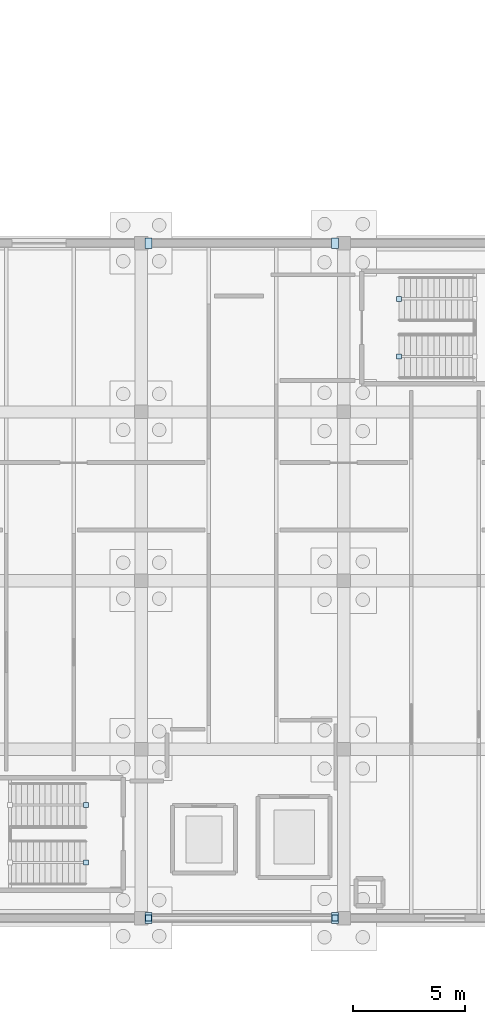
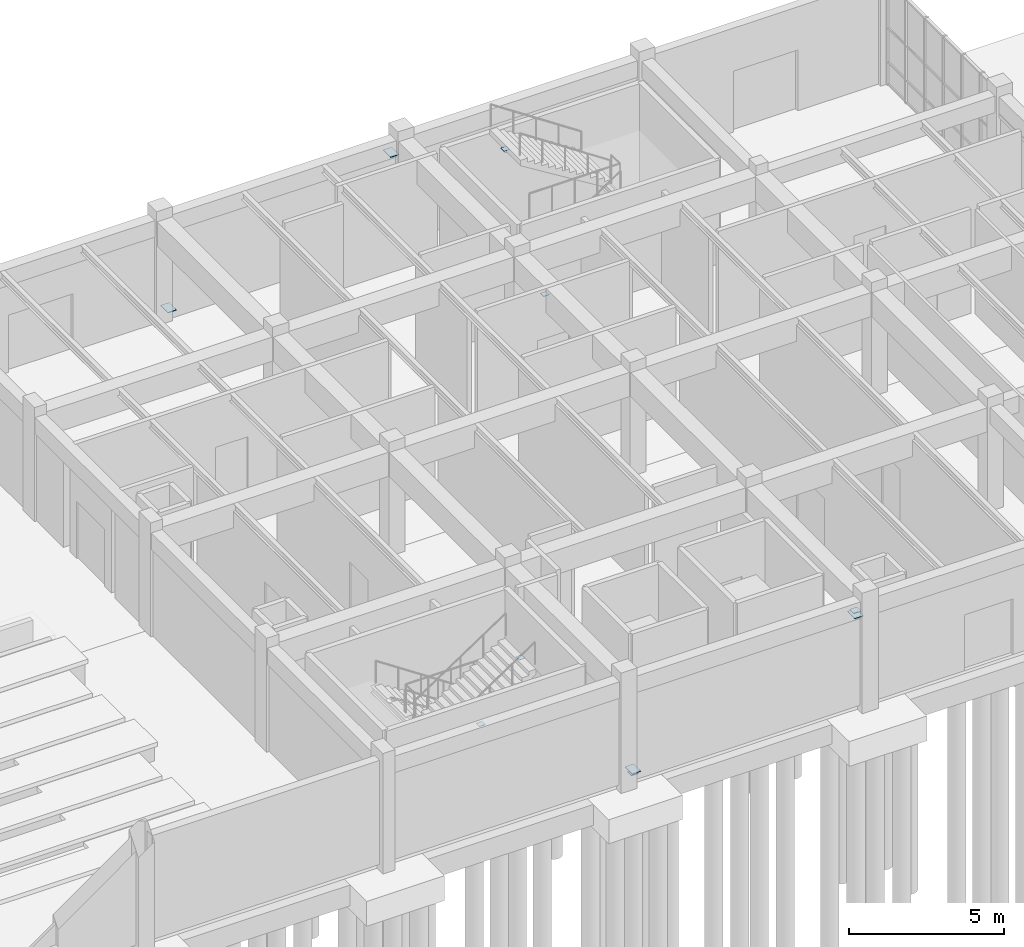
# One storey, part 61 of 93: 10 plates.
"""IFC4 building model written with IfcOpenShell, lengths in metres."""

from ifc_helpers import new_model, si_unit, direction, frame, origin, origin_2d, place, context, subcontext, project, spatial, rectangle, extrude, material, layer, layer_set, type_object, element, save


model = new_model("IFC4")

# Units and contexts
model_context = context("Model", 3, precision=1e-05, world=origin(), true_north=direction((0.0, 1.0)))
body_context = subcontext(model_context, "Body", "Model", "MODEL_VIEW")
ifc_project = project(units=[si_unit("LENGTHUNIT", "METRE"), si_unit("AREAUNIT", "SQUARE_METRE"), si_unit("VOLUMEUNIT", "CUBIC_METRE"), si_unit("PLANEANGLEUNIT", "RADIAN"), si_unit("MASSUNIT", "GRAM", prefix="KILO")], contexts=[model_context])

# Site, building, storey
site_placement = place(None, origin())
site = spatial("IfcSite", under=ifc_project, at=site_placement, CompositionType="ELEMENT")
building_placement = place(site_placement, origin())
building = spatial("IfcBuilding", under=site, at=building_placement, Name="Marnridge Secondary College", CompositionType="ELEMENT")
storey_placement = place(building_placement, origin())
storey = spatial("IfcBuildingStorey", under=building, at=storey_placement, Name="L00", CompositionType="ELEMENT", Elevation=0.0)

# Plates
ifc_material_1 = material(Name="Structural steel plate Grade 350 (AS/NZS 3678, fy = 350 MPa <=12mm, 340 MPa 12-20mm, 330 MPa 20-50mm)", Category="steel")
ifc_layer_1 = layer(ifc_material_1, 0.011962890625)
ifc_layer_set_1 = layer_set([ifc_layer_1], Name="PT-CAP-EXT")
plate_type_1 = type_object("IfcPlateType", Name="PT-CAP-EXT", PredefinedType="SHEET", material=ifc_layer_set_1)
for number, where, z_axis, x_axis, name in (
    (1, (99.32177734375, 0.0, 0.1748046875), (0.0, 0.0, 1.0), (1.0, 0.0, 0.0), "Tube end cap BR-007-EC1"),
    (2, (107.6181640625, 0.0, 3.67333984375), (0.0, 0.0, 1.0), (1.0, 0.0, 0.0), "Tube end cap BR-007-EC2"),
):
    element("IfcPlate", number, at=place(storey_placement, frame(where, z_axis=z_axis, x_axis=x_axis)), inside=storey, type_object=plate_type_1, Name=name, PredefinedType="SHEET", context=body_context, shape_type="SweptSolid", body=[
        extrude(rectangle(XDim=0.27001953125, YDim=0.27001953125, at=origin_2d()), origin(), (0.0, 0.0, 1.0), 0.011962890625),
    ])
ifc_material_2 = material(Name="Structural steel plate Grade 350 (AS/NZS 3678, fy = 350 MPa <=12mm, 340 MPa 12-20mm, 330 MPa 20-50mm)", Category="steel")
ifc_layer_2 = layer(ifc_material_2, 0.010009765625)
ifc_layer_set_2 = layer_set([ifc_layer_2], Name="PT-CAP-INT")
plate_type_2 = type_object("IfcPlateType", Name="PT-CAP-INT", PredefinedType="SHEET", material=ifc_layer_set_2)
for number, where, z_axis, x_axis, name in (
    (3, (96.54833984375, 5.030029296875, 0.01123046875), (0.0, 0.0, 1.0), (-1.0, 0.0, 0.0), "Tube end cap STR-049-EC1"),
    (4, (96.54833984375, 2.469970703125, 4.18603515625), (0.0, 0.0, 1.0), (1.0, 0.0, 0.0), "Tube end cap STR-050-EC2"),
    (5, (110.45166015625, 24.969970703125, 0.01123046875), (0.0, 0.0, 1.0), (1.0, 0.0, 0.0), "Tube end cap STR-053-EC1"),
    (6, (110.45166015625, 27.530029296875, 4.18603515625), (0.0, 0.0, 1.0), (-1.0, 0.0, 0.0), "Tube end cap STR-054-EC2"),
):
    element("IfcPlate", number, at=place(storey_placement, frame(where, z_axis=z_axis, x_axis=x_axis)), inside=storey, type_object=plate_type_2, Name=name, PredefinedType="SHEET", context=body_context, shape_type="SweptSolid", body=[
        extrude(rectangle(XDim=0.219970703125, YDim=0.219970703125, at=origin_2d()), origin(), (0.0, 0.0, 1.0), 0.010009765625),
    ])
ifc_material_3 = material(Name="Structural steel plate Grade 350 (AS/NZS 3678, fy = 350 MPa <=12mm, 340 MPa 12-20mm, 330 MPa 20-50mm)", Category="steel")
ifc_layer_3 = layer(ifc_material_3, 0.02392578125)
ifc_layer_set_3 = layer_set([ifc_layer_3], Name="PT-GUS-GSN2")
plate_type_3 = type_object("IfcPlateType", Name="PT-GUS-GSN2", PredefinedType="USERDEFINED", material=ifc_layer_set_3)
for number, where, z_axis, x_axis, name in (
    (7, (99.320068359375, 0.0, 0.30810546875), (0.0, 0.0, 1.0), (0.0, 1.0, 0.0), "Braced-frame gusset plate GP-063"),
    (8, (107.6201171875, 0.0, 3.528076171875), (0.0, 0.0, 1.0), (0.0, 1.0, 0.0), "Braced-frame gusset plate GP-064"),
    (9, (99.320068359375, 30.0, 0.30810546875), (0.0, 0.0, 1.0), (0.0, 1.0, 0.0), "Braced-frame gusset plate GP-065"),
    (10, (107.6201171875, 30.0, 3.528076171875), (0.0, 0.0, 1.0), (0.0, 1.0, 0.0), "Braced-frame gusset plate GP-066"),
):
    element("IfcPlate", number, at=place(storey_placement, frame(where, z_axis=z_axis, x_axis=x_axis)), inside=storey, type_object=plate_type_3, Name=name, ObjectType="GUSSET PLATE", PredefinedType="USERDEFINED", context=body_context, shape_type="SweptSolid", body=[
        extrude(rectangle(XDim=0.47998046875, YDim=0.320068359375, at=origin_2d()), origin(), (0.0, 0.0, 1.0), 0.02392578125),
    ])

save(model, "model.ifc")
